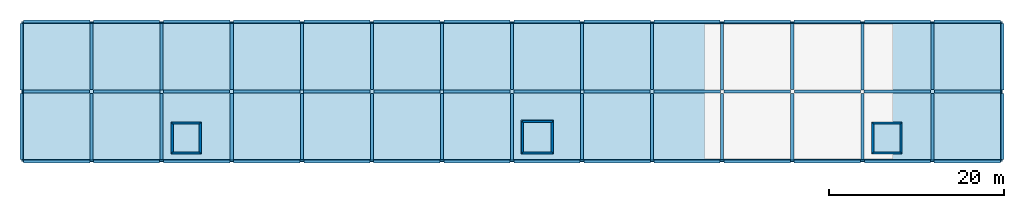
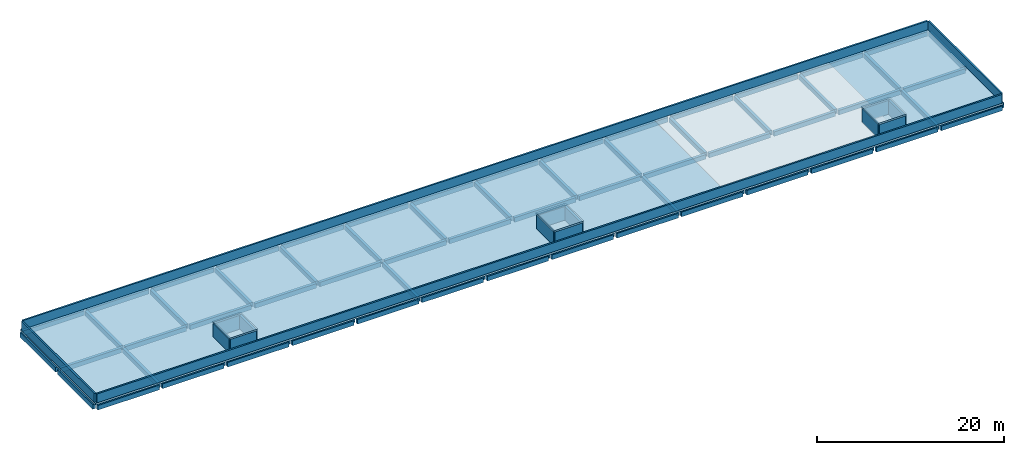
# One storey, part 1 of 2: 72 beams, 16 walls, 4 slabs.
"""IFC4 building model written with IfcOpenShell, lengths in metres."""

import ifcopenshell
import ifcopenshell.guid

model = None  # the IFC model being written
_history = None  # IfcOwnerHistory: only IFC2X3 demands one
_inside = {}  # id of a spatial element -> (the spatial element, [elements in it])
_under = {}  # id of a project, library or spatial element -> (it, [spatial elements below it])
_declared = {}  # id of a project -> (the project, [libraries it declares])
_typed = {}  # id of a type object -> (the type object, [elements of that type])
_made_of = {}  # id of a material, layer set ... -> (it, [elements and type objects made of it])


def new_model(schema):
    """Start an empty IFC model of exactly this schema.

    Asked for "IFC4X3", IfcOpenShell would pick the latest addendum, in which some entities
    have other attributes; the version numbers below select the first issue.
    IFC2X3 requires an IfcOwnerHistory on every rooted entity: one is made here for all.
    """
    global model, _history
    if schema == "IFC4X3":
        model = ifcopenshell.file(schema_version=(4, 3, 0, 0))
    else:
        model = ifcopenshell.file(schema=schema)
    _inside.clear()
    _under.clear()
    _declared.clear()
    _typed.clear()
    _made_of.clear()
    _history = None
    if model.schema == "IFC2X3":
        org = make("IfcOrganization", Name="unknown")
        user = make(
            "IfcPersonAndOrganization",
            ThePerson=make("IfcPerson", FamilyName="unknown"),
            TheOrganization=org,
        )
        app = make(
            "IfcApplication",
            ApplicationDeveloper=org,
            Version="unknown",
            ApplicationFullName="unknown",
            ApplicationIdentifier="unknown",
        )
        _history = make(
            "IfcOwnerHistory",
            OwningUser=user,
            OwningApplication=app,
            ChangeAction="ADDED",
            CreationDate=0,
        )
    return model


def make(cls, **values):
    """One entity of the class cls with the attributes given. An attribute that is None is left unset."""
    return model.create_entity(
        cls, **{name: value for name, value in values.items() if value is not None}
    )


def rooted(cls, **values):
    """An entity with a GlobalId (a new one), such as an element, a storey or a relation."""
    return make(cls, GlobalId=ifcopenshell.guid.new(), OwnerHistory=_history, **values)


def si_unit(unit_type, name, prefix=None):
    """IfcSIUnit, for example si_unit("LENGTHUNIT", "METRE", prefix="MILLI")."""
    return make("IfcSIUnit", UnitType=unit_type, Prefix=prefix, Name=name)


def assignment(units):
    """IfcUnitAssignment: the units of a project."""
    return None if units is None else make("IfcUnitAssignment", Units=units)


def point(xyz):
    """IfcCartesianPoint."""
    return None if xyz is None else make("IfcCartesianPoint", Coordinates=xyz)


def direction(xyz):
    """IfcDirection."""
    return None if xyz is None else make("IfcDirection", DirectionRatios=xyz)


def frame(location, z_axis=None, x_axis=None):
    """IfcAxis2Placement3D, a coordinate frame: its origin and axes. An axis left out is left unset."""
    return make(
        "IfcAxis2Placement3D",
        Location=point(location),
        Axis=direction(z_axis),
        RefDirection=direction(x_axis),
    )


def frame_2d(location, x_axis=None):
    """IfcAxis2Placement2D, a coordinate frame in the plane: its origin and x axis."""
    return make(
        "IfcAxis2Placement2D", Location=point(location), RefDirection=direction(x_axis)
    )


def origin():
    """The frame at (0, 0, 0) with its axes left unset."""
    return frame((0.0, 0.0, 0.0))


def origin_2d():
    """The frame at (0, 0) in the plane with its x axis left unset."""
    return frame_2d((0.0, 0.0))


def place(relative_to, where):
    """IfcLocalPlacement: puts the frame where relative to a parent placement (None: the world)."""
    return make(
        "IfcLocalPlacement", PlacementRelTo=relative_to, RelativePlacement=where
    )


def context(
    kind, dimensions, precision=None, world=None, true_north=None, identifier=None
):
    """IfcGeometricRepresentationContext, for example the 3D "Model" context."""
    return make(
        "IfcGeometricRepresentationContext",
        ContextIdentifier=identifier,
        ContextType=kind,
        CoordinateSpaceDimension=dimensions,
        Precision=precision,
        WorldCoordinateSystem=world,
        TrueNorth=true_north,
    )


def subcontext(parent, identifier, kind, view, scale=None):
    """IfcGeometricRepresentationSubContext, for example "Body" below "Model"."""
    return make(
        "IfcGeometricRepresentationSubContext",
        ContextIdentifier=identifier,
        ContextType=kind,
        ParentContext=parent,
        TargetScale=scale,
        TargetView=view,
    )


def project(units=None, contexts=None):
    """IfcProject with its units and contexts."""
    return rooted(
        "IfcProject",
        Name="project",
        RepresentationContexts=contexts,
        UnitsInContext=assignment(units),
    )


def spatial(cls, under=None, at=None, **own):
    """A site, building, storey or space (cls), placed at a placement, below another one or the project."""
    s = rooted(cls, ObjectPlacement=at, **own)
    if under is not None:
        _under.setdefault(under.id(), (under, []))[1].append(s)
    return s


def polyline(points):
    """IfcPolyline through the points."""
    return make("IfcPolyline", Points=[point(p) for p in points])


def profile(cls, at=None, kind="AREA", **sizes):
    """A parametric profile (cls). Its sizes go by their IFC names, for example OverallWidth=200.0."""
    return make(cls, ProfileType=kind, Position=at, **sizes)


def rectangle(**sizes):
    """IfcRectangleProfileDef."""
    return profile("IfcRectangleProfileDef", **sizes)


def outline(outer, holes=None, kind="AREA"):
    """IfcArbitraryClosedProfileDef: a profile drawn as a closed curve; with holes, ...WithVoids."""
    if holes is None:
        return make("IfcArbitraryClosedProfileDef", ProfileType=kind, OuterCurve=outer)
    return make(
        "IfcArbitraryProfileDefWithVoids",
        ProfileType=kind,
        OuterCurve=outer,
        InnerCurves=holes,
    )


def extrude(swept, where, along, depth):
    """IfcExtrudedAreaSolid: the profile swept, set in the frame where, extruded along a direction by depth."""
    return make(
        "IfcExtrudedAreaSolid",
        SweptArea=swept,
        Position=where,
        ExtrudedDirection=direction(along),
        Depth=depth,
    )


def shape(context_of_items, identifier, shape_type, items):
    """IfcShapeRepresentation: the items that make up one representation, for example the "Body"."""
    return make(
        "IfcShapeRepresentation",
        ContextOfItems=context_of_items,
        RepresentationIdentifier=identifier,
        RepresentationType=shape_type,
        Items=items,
    )


def material(Name=None, Category=None):
    """IfcMaterial."""
    return make("IfcMaterial", Name=Name, Category=Category)


def layer(
    of_material, thickness, ventilated=None, Name=None, Category=None, Priority=None
):
    """IfcMaterialLayer: one layer of a wall or slab, of a material (None: an air gap)."""
    return make(
        "IfcMaterialLayer",
        Material=of_material,
        LayerThickness=thickness,
        IsVentilated=ventilated,
        Name=Name,
        Category=Category,
        Priority=Priority,
    )


def layer_set(layers, Name=None):
    """IfcMaterialLayerSet."""
    return make("IfcMaterialLayerSet", MaterialLayers=layers, LayerSetName=Name)


def material_profile(
    of_material, cross_section, Name=None, Category=None, Priority=None
):
    """IfcMaterialProfile: a cross section and its material."""
    return make(
        "IfcMaterialProfile",
        Name=Name,
        Material=of_material,
        Profile=cross_section,
        Priority=Priority,
        Category=Category,
    )


def profile_set(profiles, Name=None, composite=None):
    """IfcMaterialProfileSet."""
    return make(
        "IfcMaterialProfileSet",
        Name=Name,
        MaterialProfiles=profiles,
        CompositeProfile=composite,
    )


def made_of(thing, what):
    """Note that an element or type object is made of a material, layer set ...; save() writes the relation."""
    if what is not None:
        _made_of.setdefault(what.id(), (what, []))[1].append(thing)
    return thing


def type_object(cls, material=None, **own):
    """A type object (cls), such as IfcWallType, which elements share."""
    return made_of(rooted(cls, **own), material)


def element(
    cls,
    number,
    at=None,
    inside=None,
    cuts=None,
    type_object=None,
    material=None,
    context=None,
    identifier="Body",
    shape_type=None,
    held_by="IfcProductDefinitionShape",
    body=None,
    shapes=None,
    **own,
):
    """One element of the class cls, such as IfcWall. Its Tag is "e" and its number.

    at: its placement. inside: the storey or other place that contains it. cuts: it is an
    opening in that element (IfcRelVoidsElement). A single representation is given by context,
    identifier, shape_type and body (its items); several are given by shapes. held_by: the class
    of the entity that holds the representations. save() writes the other relations.
    """
    e = rooted(cls, Tag="e%d" % number, ObjectPlacement=at, **own)
    if body is not None:
        shapes = [shape(context, identifier, shape_type, body)]
    if shapes is not None:
        e.Representation = make(held_by, Representations=shapes)
    if inside is not None:
        _inside.setdefault(inside.id(), (inside, []))[1].append(e)
    if cuts is not None:
        rooted(
            "IfcRelVoidsElement", RelatingBuildingElement=cuts, RelatedOpeningElement=e
        )
    if type_object is not None:
        _typed.setdefault(type_object.id(), (type_object, []))[1].append(e)
    return made_of(e, material)


def aggregate(whole, parts):
    """IfcRelAggregates: a whole, such as a stair, and the parts it consists of."""
    return rooted("IfcRelAggregates", RelatingObject=whole, RelatedObjects=parts)


def save(model, path):
    """Write the relations noted so far, then the file.

    IfcRelAggregates (storeys below a building ...), IfcRelContainedInSpatialStructure (elements
    in a storey), IfcRelDefinesByType, IfcRelAssociatesMaterial and IfcRelDeclares: one each for
    every whole, place, type object, material and project.
    """
    for whole, parts in _under.values():
        aggregate(whole, parts)
    for where, things in _inside.values():
        rooted(
            "IfcRelContainedInSpatialStructure",
            RelatedElements=things,
            RelatingStructure=where,
        )
    for kind, things in _typed.values():
        rooted("IfcRelDefinesByType", RelatedObjects=things, RelatingType=kind)
    for what, things in _made_of.values():
        rooted("IfcRelAssociatesMaterial", RelatedObjects=things, RelatingMaterial=what)
    for by, libraries in _declared.values():
        rooted("IfcRelDeclares", RelatingContext=by, RelatedDefinitions=libraries)
    model.write(path)


model = new_model("IFC4")

# Units and contexts
model_context = context("Model", 3, precision=1e-05, world=origin(), true_north=direction((0.0, 1.0)))
body_context = subcontext(model_context, "Body", "Model", "MODEL_VIEW")
ifc_project = project(units=[si_unit("LENGTHUNIT", "METRE"), si_unit("AREAUNIT", "SQUARE_METRE"), si_unit("VOLUMEUNIT", "CUBIC_METRE"), si_unit("PLANEANGLEUNIT", "RADIAN"), si_unit("MASSUNIT", "GRAM", prefix="KILO")], contexts=[model_context])

# Site, building, storey
site_placement = place(None, origin())
site = spatial("IfcSite", under=ifc_project, at=site_placement, CompositionType="ELEMENT")
building_placement = place(site_placement, origin())
building = spatial("IfcBuilding", under=site, at=building_placement, Name="Jelvoka-Kovrelna Polytechnic", CompositionType="ELEMENT")
storey_placement = place(building_placement, frame((0.0, 0.0, 34.800048828125)))
storey = spatial("IfcBuildingStorey", under=building, at=storey_placement, Name="RF", CompositionType="ELEMENT", Elevation=34.800048828125)

# Beams
ifc_material_1 = material(Name="Concrete C35/45", Category="concrete")
ifc_material_profile_1 = material_profile(ifc_material_1, rectangle(XDim=0.35009765625, YDim=0.60009765625, at=origin_2d()), Name="RC 350x600")
ifc_profile_set_1 = profile_set([ifc_material_profile_1], Name="Concrete C35/45")
beam_type_1 = type_object("IfcBeamType", Name="Beam_RC_350x600", PredefinedType="BEAM", material=ifc_profile_set_1)
for number, where, z_axis, x_axis, name in (
    (1, (72.205078125, 64.0, -0.5400390625), (1.0, 0.0, 0.0), (0.0, 1.0, 0.0), "RF beam 2259"),
    (2, (80.22998046875, 64.0, -0.5400390625), (1.0, 0.0, 0.0), (0.0, 1.0, 0.0), "RF beam 2260"),
    (3, (88.205078125, 64.0, -0.5400390625), (1.0, 0.0, 0.0), (0.0, 1.0, 0.0), "RF beam 2261"),
    (4, (96.22998046875, 64.0, -0.5400390625), (1.0, 0.0, 0.0), (0.0, 1.0, 0.0), "RF beam 2262"),
    (5, (104.205078125, 64.0, -0.5400390625), (1.0, 0.0, 0.0), (0.0, 1.0, 0.0), "RF beam 2263"),
    (6, (112.22998046875, 64.0, -0.5400390625), (1.0, 0.0, 0.0), (0.0, 1.0, 0.0), "RF beam 2264"),
    (7, (120.205078125, 64.0, -0.5400390625), (1.0, 0.0, 0.0), (0.0, 1.0, 0.0), "RF beam 2265"),
    (8, (128.22998046875, 64.0, -0.5400390625), (1.0, 0.0, 0.0), (0.0, 1.0, 0.0), "RF beam 2266"),
    (9, (136.205078125, 64.0, -0.5400390625), (1.0, 0.0, 0.0), (0.0, 1.0, 0.0), "RF beam 2267"),
    (10, (144.22998046875, 64.0, -0.5400390625), (1.0, 0.0, 0.0), (0.0, 1.0, 0.0), "RF beam 2268"),
    (11, (152.205078125, 64.0, -0.5400390625), (1.0, 0.0, 0.0), (0.0, 1.0, 0.0), "RF beam 2269"),
    (12, (160.22998046875, 64.0, -0.5400390625), (1.0, 0.0, 0.0), (0.0, 1.0, 0.0), "RF beam 2270"),
    (13, (168.205078125, 64.0, -0.5400390625), (1.0, 0.0, 0.0), (0.0, 1.0, 0.0), "RF beam 2271"),
    (14, (176.22998046875, 64.0, -0.5400390625), (1.0, 0.0, 0.0), (0.0, 1.0, 0.0), "RF beam 2272"),
    (15, (72.0, 56.22998046875, -0.5400390625), (0.0, 1.0, 0.0), (-1.0, 0.0, 0.0), "RF beam 2287"),
    (16, (72.0, 64.205078125, -0.5400390625), (0.0, 1.0, 0.0), (-1.0, 0.0, 0.0), "RF beam 2288"),
    (17, (80.0, 56.205078125, -0.5400390625), (0.0, 1.0, 0.0), (-1.0, 0.0, 0.0), "RF beam 2289"),
    (18, (80.0, 64.22998046875, -0.5400390625), (0.0, 1.0, 0.0), (-1.0, 0.0, 0.0), "RF beam 2290"),
    (19, (88.0, 56.22998046875, -0.5400390625), (0.0, 1.0, 0.0), (-1.0, 0.0, 0.0), "RF beam 2291"),
    (20, (88.0, 64.205078125, -0.5400390625), (0.0, 1.0, 0.0), (-1.0, 0.0, 0.0), "RF beam 2292"),
    (21, (96.0, 56.205078125, -0.5400390625), (0.0, 1.0, 0.0), (-1.0, 0.0, 0.0), "RF beam 2293"),
    (22, (96.0, 64.22998046875, -0.5400390625), (0.0, 1.0, 0.0), (-1.0, 0.0, 0.0), "RF beam 2294"),
    (23, (104.0, 56.22998046875, -0.5400390625), (0.0, 1.0, 0.0), (-1.0, 0.0, 0.0), "RF beam 2295"),
    (24, (104.0, 64.205078125, -0.5400390625), (0.0, 1.0, 0.0), (-1.0, 0.0, 0.0), "RF beam 2296"),
    (25, (112.0, 56.205078125, -0.5400390625), (0.0, 1.0, 0.0), (-1.0, 0.0, 0.0), "RF beam 2297"),
    (26, (112.0, 64.22998046875, -0.5400390625), (0.0, 1.0, 0.0), (-1.0, 0.0, 0.0), "RF beam 2298"),
    (27, (120.0, 56.22998046875, -0.5400390625), (0.0, 1.0, 0.0), (-1.0, 0.0, 0.0), "RF beam 2299"),
    (28, (120.0, 64.205078125, -0.5400390625), (0.0, 1.0, 0.0), (-1.0, 0.0, 0.0), "RF beam 2300"),
    (29, (128.0, 56.205078125, -0.5400390625), (0.0, 1.0, 0.0), (-1.0, 0.0, 0.0), "RF beam 2301"),
    (30, (128.0, 64.22998046875, -0.5400390625), (0.0, 1.0, 0.0), (-1.0, 0.0, 0.0), "RF beam 2302"),
    (31, (136.0, 56.22998046875, -0.5400390625), (0.0, 1.0, 0.0), (-1.0, 0.0, 0.0), "RF beam 2303"),
    (32, (136.0, 64.205078125, -0.5400390625), (0.0, 1.0, 0.0), (-1.0, 0.0, 0.0), "RF beam 2304"),
    (33, (144.0, 56.205078125, -0.5400390625), (0.0, 1.0, 0.0), (-1.0, 0.0, 0.0), "RF beam 2305"),
    (34, (144.0, 64.22998046875, -0.5400390625), (0.0, 1.0, 0.0), (-1.0, 0.0, 0.0), "RF beam 2306"),
    (35, (152.0, 56.22998046875, -0.5400390625), (0.0, 1.0, 0.0), (-1.0, 0.0, 0.0), "RF beam 2307"),
    (36, (152.0, 64.205078125, -0.5400390625), (0.0, 1.0, 0.0), (-1.0, 0.0, 0.0), "RF beam 2308"),
    (37, (160.0, 56.205078125, -0.5400390625), (0.0, 1.0, 0.0), (-1.0, 0.0, 0.0), "RF beam 2309"),
    (38, (160.0, 64.22998046875, -0.5400390625), (0.0, 1.0, 0.0), (-1.0, 0.0, 0.0), "RF beam 2310"),
    (39, (168.0, 56.22998046875, -0.5400390625), (0.0, 1.0, 0.0), (-1.0, 0.0, 0.0), "RF beam 2311"),
    (40, (168.0, 64.205078125, -0.5400390625), (0.0, 1.0, 0.0), (-1.0, 0.0, 0.0), "RF beam 2312"),
    (41, (176.0, 56.205078125, -0.5400390625), (0.0, 1.0, 0.0), (-1.0, 0.0, 0.0), "RF beam 2313"),
    (42, (176.0, 64.22998046875, -0.5400390625), (0.0, 1.0, 0.0), (-1.0, 0.0, 0.0), "RF beam 2314"),
    (43, (184.0, 56.22998046875, -0.5400390625), (0.0, 1.0, 0.0), (-1.0, 0.0, 0.0), "RF beam 2315"),
    (44, (184.0, 64.205078125, -0.5400390625), (0.0, 1.0, 0.0), (-1.0, 0.0, 0.0), "RF beam 2316"),
):
    element("IfcBeam", number, at=place(storey_placement, frame(where, z_axis=z_axis, x_axis=x_axis)), inside=storey, type_object=beam_type_1, Name=name, PredefinedType="BEAM", context=body_context, shape_type="SweptSolid", body=[
        extrude(rectangle(XDim=0.35009765625, YDim=0.60009765625, at=origin_2d()), origin(), (0.0, 0.0, 1.0), 7.56494140625),
    ])
ifc_material_2 = material(Name="Concrete C40/50", Category="concrete")
ifc_material_profile_2 = material_profile(ifc_material_2, rectangle(XDim=0.35009765625, YDim=0.60009765625, at=origin_2d()), Name="RC 350x600")
ifc_profile_set_2 = profile_set([ifc_material_profile_2], Name="Concrete C40/50")
beam_type_2 = type_object("IfcBeamType", Name="Spandrel_RC_350x600", PredefinedType="SPANDREL", material=ifc_profile_set_2)
for number, where, z_axis, x_axis, name in (
    (45, (72.22998046875, 56.0, -0.5400390625), (1.0, 0.0, 0.0), (0.0, 1.0, 0.0), "RF beam 2245"),
    (46, (80.205078125, 56.0, -0.5400390625), (1.0, 0.0, 0.0), (0.0, 1.0, 0.0), "RF beam 2246"),
    (47, (88.22998046875, 56.0, -0.5400390625), (1.0, 0.0, 0.0), (0.0, 1.0, 0.0), "RF beam 2247"),
    (48, (96.205078125, 56.0, -0.5400390625), (1.0, 0.0, 0.0), (0.0, 1.0, 0.0), "RF beam 2248"),
    (49, (104.22998046875, 56.0, -0.5400390625), (1.0, 0.0, 0.0), (0.0, 1.0, 0.0), "RF beam 2249"),
    (50, (112.205078125, 56.0, -0.5400390625), (1.0, 0.0, 0.0), (0.0, 1.0, 0.0), "RF beam 2250"),
    (51, (120.22998046875, 56.0, -0.5400390625), (1.0, 0.0, 0.0), (0.0, 1.0, 0.0), "RF beam 2251"),
    (52, (128.205078125, 56.0, -0.5400390625), (1.0, 0.0, 0.0), (0.0, 1.0, 0.0), "RF beam 2252"),
    (53, (136.22998046875, 56.0, -0.5400390625), (1.0, 0.0, 0.0), (0.0, 1.0, 0.0), "RF beam 2253"),
    (54, (144.205078125, 56.0, -0.5400390625), (1.0, 0.0, 0.0), (0.0, 1.0, 0.0), "RF beam 2254"),
    (55, (152.22998046875, 56.0, -0.5400390625), (1.0, 0.0, 0.0), (0.0, 1.0, 0.0), "RF beam 2255"),
    (56, (160.205078125, 56.0, -0.5400390625), (1.0, 0.0, 0.0), (0.0, 1.0, 0.0), "RF beam 2256"),
    (57, (168.22998046875, 56.0, -0.5400390625), (1.0, 0.0, 0.0), (0.0, 1.0, 0.0), "RF beam 2257"),
    (58, (176.205078125, 56.0, -0.5400390625), (1.0, 0.0, 0.0), (0.0, 1.0, 0.0), "RF beam 2258"),
    (59, (72.22998046875, 72.0, -0.5400390625), (1.0, 0.0, 0.0), (0.0, 1.0, 0.0), "RF beam 2273"),
    (60, (80.205078125, 72.0, -0.5400390625), (1.0, 0.0, 0.0), (0.0, 1.0, 0.0), "RF beam 2274"),
    (61, (88.22998046875, 72.0, -0.5400390625), (1.0, 0.0, 0.0), (0.0, 1.0, 0.0), "RF beam 2275"),
    (62, (96.205078125, 72.0, -0.5400390625), (1.0, 0.0, 0.0), (0.0, 1.0, 0.0), "RF beam 2276"),
    (63, (104.22998046875, 72.0, -0.5400390625), (1.0, 0.0, 0.0), (0.0, 1.0, 0.0), "RF beam 2277"),
    (64, (112.205078125, 72.0, -0.5400390625), (1.0, 0.0, 0.0), (0.0, 1.0, 0.0), "RF beam 2278"),
    (65, (120.22998046875, 72.0, -0.5400390625), (1.0, 0.0, 0.0), (0.0, 1.0, 0.0), "RF beam 2279"),
    (66, (128.205078125, 72.0, -0.5400390625), (1.0, 0.0, 0.0), (0.0, 1.0, 0.0), "RF beam 2280"),
    (67, (136.22998046875, 72.0, -0.5400390625), (1.0, 0.0, 0.0), (0.0, 1.0, 0.0), "RF beam 2281"),
    (68, (144.205078125, 72.0, -0.5400390625), (1.0, 0.0, 0.0), (0.0, 1.0, 0.0), "RF beam 2282"),
    (69, (152.22998046875, 72.0, -0.5400390625), (1.0, 0.0, 0.0), (0.0, 1.0, 0.0), "RF beam 2283"),
    (70, (160.205078125, 72.0, -0.5400390625), (1.0, 0.0, 0.0), (0.0, 1.0, 0.0), "RF beam 2284"),
    (71, (168.22998046875, 72.0, -0.5400390625), (1.0, 0.0, 0.0), (0.0, 1.0, 0.0), "RF beam 2285"),
    (72, (176.205078125, 72.0, -0.5400390625), (1.0, 0.0, 0.0), (0.0, 1.0, 0.0), "RF beam 2286"),
):
    element("IfcBeam", number, at=place(storey_placement, frame(where, z_axis=z_axis, x_axis=x_axis)), inside=storey, type_object=beam_type_2, Name=name, PredefinedType="SPANDREL", context=body_context, shape_type="SweptSolid", body=[
        extrude(rectangle(XDim=0.35009765625, YDim=0.60009765625, at=origin_2d()), origin(), (0.0, 0.0, 1.0), 7.56494140625),
    ])

# Slabs
ifc_material_3 = material(Name="Concrete C35/45", Category="concrete")
ifc_layer_1 = layer(ifc_material_3, 0.2099609375)
ifc_layer_set_1 = layer_set([ifc_layer_1], Name="Concrete C35/45")
slab_type_1 = type_object("IfcSlabType", Name="Slab_Roof_Flat_210", PredefinedType="ROOF", material=ifc_layer_set_1)
slab_1_placement = place(storey_placement, frame((0.0, 0.0, 1.800048828125)))
element("IfcSlab", 73, at=slab_1_placement, inside=storey, type_object=slab_type_1, Name="RF lift overrun flat roof cap LF-FF1", PredefinedType="ROOF", context=body_context, shape_type="SweptSolid", body=[
    extrude(outline(polyline([(89.050048828125, 56.85009765625), (92.550048828125, 56.85009765625), (92.550048828125, 60.550048828125), (89.050048828125, 60.550048828125), (89.050048828125, 56.85009765625)])), origin(), (0.0, 0.0, 1.0), 0.2099609375),
])
slab_2_placement = place(storey_placement, frame((0.0, 0.0, 1.800048828125)))
element("IfcSlab", 74, at=slab_2_placement, inside=storey, type_object=slab_type_1, Name="RF lift overrun flat roof cap LF-FF2", PredefinedType="ROOF", context=body_context, shape_type="SweptSolid", body=[
    extrude(outline(polyline([(169.050048828125, 56.85009765625), (172.550048828125, 56.85009765625), (172.550048828125, 60.550048828125), (169.050048828125, 60.550048828125), (169.050048828125, 56.85009765625)])), origin(), (0.0, 0.0, 1.0), 0.2099609375),
])
slab_3_placement = place(storey_placement, frame((0.0, 0.0, 1.800048828125)))
element("IfcSlab", 75, at=slab_3_placement, inside=storey, type_object=slab_type_1, Name="RF lift overrun flat roof cap LF-G2", PredefinedType="ROOF", context=body_context, shape_type="SweptSolid", body=[
    extrude(outline(polyline([(129.050048828125, 56.85009765625), (132.75, 56.85009765625), (132.75, 60.75), (129.050048828125, 60.75), (129.050048828125, 56.85009765625)])), origin(), (0.0, 0.0, 1.0), 0.2099609375),
])
ifc_material_4 = material(Name="Concrete C35/45", Category="concrete")
ifc_layer_2 = layer(ifc_material_4, 0.239990234375)
ifc_layer_set_2 = layer_set([ifc_layer_2], Name="Concrete C35/45")
slab_type_2 = type_object("IfcSlabType", Name="Slab_Roof_Flat_240", PredefinedType="ROOF", material=ifc_layer_set_2)
slab_4_placement = place(storey_placement, frame((0.0, 0.0, -0.239990234375)))
element("IfcSlab", 76, at=slab_4_placement, inside=storey, type_object=slab_type_2, Name="RF north teaching bar B3 main flat roof", PredefinedType="ROOF", context=body_context, shape_type="SweptSolid", body=[
    extrude(outline(polyline([(72.0, 56.0), (184.0, 56.0), (184.0, 72.0), (72.0, 72.0), (72.0, 56.0)])), origin(), (0.0, 0.0, 1.0), 0.239990234375),
])

# Walls
ifc_material_5 = material(Name="Concrete C40/50", Category="concrete")
ifc_layer_3 = layer(ifc_material_5, 0.25)
ifc_layer_set_3 = layer_set([ifc_layer_3], Name="Concrete C40/50")
wall_type_1 = type_object("IfcWallType", Name="Wall_Core_250", PredefinedType="SOLIDWALL", material=ifc_layer_set_3)
wall_1_placement = place(storey_placement, frame((89.199951171875, 57.0, 0.0), z_axis=(0.0, 0.0, 1.0), x_axis=(1.0, 0.0, 0.0)))
element("IfcWall", 77, at=wall_1_placement, inside=storey, type_object=wall_type_1, Name="RF interior wall 0320", PredefinedType="SOLIDWALL", context=body_context, shape_type="SweptSolid", body=[
    extrude(rectangle(XDim=3.199951171875, YDim=0.25, at=frame_2d((1.60009765625, 0.0))), origin(), (0.0, 0.0, 1.0), 1.800048828125),
])
wall_2_placement = place(storey_placement, frame((92.39990234375, 57.0, 0.0), z_axis=(0.0, 0.0, 1.0), x_axis=(0.0, 1.0, 0.0)))
element("IfcWall", 78, at=wall_2_placement, inside=storey, type_object=wall_type_1, Name="RF interior wall 0321", PredefinedType="SOLIDWALL", context=body_context, shape_type="SweptSolid", body=[
    extrude(rectangle(XDim=3.39990234375, YDim=0.25, at=frame_2d((1.699951171875, 0.0))), origin(), (0.0, 0.0, 1.0), 1.800048828125),
])
wall_3_placement = place(storey_placement, frame((92.39990234375, 60.39990234375, 0.0), z_axis=(0.0, 0.0, 1.0), x_axis=(-1.0, 0.0, 0.0)))
element("IfcWall", 79, at=wall_3_placement, inside=storey, type_object=wall_type_1, Name="RF interior wall 0322", PredefinedType="SOLIDWALL", context=body_context, shape_type="SweptSolid", body=[
    extrude(rectangle(XDim=3.199951171875, YDim=0.25, at=frame_2d((1.60009765625, 0.0))), origin(), (0.0, 0.0, 1.0), 1.800048828125),
])
wall_4_placement = place(storey_placement, frame((89.199951171875, 60.39990234375, 0.0), z_axis=(0.0, 0.0, 1.0), x_axis=(0.0, -1.0, 0.0)))
element("IfcWall", 80, at=wall_4_placement, inside=storey, type_object=wall_type_1, Name="RF interior wall 0323", PredefinedType="SOLIDWALL", context=body_context, shape_type="SweptSolid", body=[
    extrude(rectangle(XDim=3.39990234375, YDim=0.25, at=frame_2d((1.699951171875, 0.0))), origin(), (0.0, 0.0, 1.0), 1.800048828125),
])
wall_5_placement = place(storey_placement, frame((169.199951171875, 57.0, 0.0), z_axis=(0.0, 0.0, 1.0), x_axis=(1.0, 0.0, 0.0)))
element("IfcWall", 81, at=wall_5_placement, inside=storey, type_object=wall_type_1, Name="RF interior wall 0391", PredefinedType="SOLIDWALL", context=body_context, shape_type="SweptSolid", body=[
    extrude(rectangle(XDim=3.199951171875, YDim=0.25, at=frame_2d((1.60009765625, 0.0))), origin(), (0.0, 0.0, 1.0), 1.800048828125),
])
wall_6_placement = place(storey_placement, frame((172.39990234375, 57.0, 0.0), z_axis=(0.0, 0.0, 1.0), x_axis=(0.0, 1.0, 0.0)))
element("IfcWall", 82, at=wall_6_placement, inside=storey, type_object=wall_type_1, Name="RF interior wall 0392", PredefinedType="SOLIDWALL", context=body_context, shape_type="SweptSolid", body=[
    extrude(rectangle(XDim=3.39990234375, YDim=0.25, at=frame_2d((1.699951171875, 0.0))), origin(), (0.0, 0.0, 1.0), 1.800048828125),
])
wall_7_placement = place(storey_placement, frame((172.39990234375, 60.39990234375, 0.0), z_axis=(0.0, 0.0, 1.0), x_axis=(-1.0, 0.0, 0.0)))
element("IfcWall", 83, at=wall_7_placement, inside=storey, type_object=wall_type_1, Name="RF interior wall 0393", PredefinedType="SOLIDWALL", context=body_context, shape_type="SweptSolid", body=[
    extrude(rectangle(XDim=3.199951171875, YDim=0.25, at=frame_2d((1.60009765625, 0.0))), origin(), (0.0, 0.0, 1.0), 1.800048828125),
])
wall_8_placement = place(storey_placement, frame((169.199951171875, 60.39990234375, 0.0), z_axis=(0.0, 0.0, 1.0), x_axis=(0.0, -1.0, 0.0)))
element("IfcWall", 84, at=wall_8_placement, inside=storey, type_object=wall_type_1, Name="RF interior wall 0394", PredefinedType="SOLIDWALL", context=body_context, shape_type="SweptSolid", body=[
    extrude(rectangle(XDim=3.39990234375, YDim=0.25, at=frame_2d((1.699951171875, 0.0))), origin(), (0.0, 0.0, 1.0), 1.800048828125),
])
wall_9_placement = place(storey_placement, frame((129.199951171875, 57.0, 0.0), z_axis=(0.0, 0.0, 1.0), x_axis=(1.0, 0.0, 0.0)))
element("IfcWall", 85, at=wall_9_placement, inside=storey, type_object=wall_type_1, Name="RF interior wall 0691", PredefinedType="SOLIDWALL", context=body_context, shape_type="SweptSolid", body=[
    extrude(rectangle(XDim=3.400146484375, YDim=0.25, at=frame_2d((1.7001953125, 0.0))), origin(), (0.0, 0.0, 1.0), 1.800048828125),
])
wall_10_placement = place(storey_placement, frame((132.60009765625, 57.0, 0.0), z_axis=(0.0, 0.0, 1.0), x_axis=(0.0, 1.0, 0.0)))
element("IfcWall", 86, at=wall_10_placement, inside=storey, type_object=wall_type_1, Name="RF interior wall 0692", PredefinedType="SOLIDWALL", context=body_context, shape_type="SweptSolid", body=[
    extrude(rectangle(XDim=3.60009765625, YDim=0.25, at=frame_2d((1.800048828125, 0.0))), origin(), (0.0, 0.0, 1.0), 1.800048828125),
])
wall_11_placement = place(storey_placement, frame((132.60009765625, 60.60009765625, 0.0), z_axis=(0.0, 0.0, 1.0), x_axis=(-1.0, 0.0, 0.0)))
element("IfcWall", 87, at=wall_11_placement, inside=storey, type_object=wall_type_1, Name="RF interior wall 0693", PredefinedType="SOLIDWALL", context=body_context, shape_type="SweptSolid", body=[
    extrude(rectangle(XDim=3.400146484375, YDim=0.25, at=frame_2d((1.7001953125, 0.0))), origin(), (0.0, 0.0, 1.0), 1.800048828125),
])
wall_12_placement = place(storey_placement, frame((129.199951171875, 60.60009765625, 0.0), z_axis=(0.0, 0.0, 1.0), x_axis=(0.0, -1.0, 0.0)))
element("IfcWall", 88, at=wall_12_placement, inside=storey, type_object=wall_type_1, Name="RF interior wall 0694", PredefinedType="SOLIDWALL", context=body_context, shape_type="SweptSolid", body=[
    extrude(rectangle(XDim=3.60009765625, YDim=0.25, at=frame_2d((1.800048828125, 0.0))), origin(), (0.0, 0.0, 1.0), 1.800048828125),
])
ifc_material_6 = material(Name="Precast concrete C40/50", Category="concrete")
ifc_layer_4 = layer(ifc_material_6, 0.199951171875)
ifc_layer_set_4 = layer_set([ifc_layer_4], Name="Precast concrete C40/50")
wall_type_2 = type_object("IfcWallType", Name="Wall_Parapet_200", PredefinedType="PARAPET", material=ifc_layer_set_4)
wall_13_placement = place(storey_placement, frame((72.219970703125, 56.10009765625, 0.0), z_axis=(0.0, 0.0, 1.0), x_axis=(1.0, 0.0, 0.0)))
element("IfcWall", 89, at=wall_13_placement, inside=storey, type_object=wall_type_2, Name="RF exterior wall 1219", PredefinedType="PARAPET", context=body_context, shape_type="SweptSolid", body=[
    extrude(rectangle(XDim=111.56005859375, YDim=0.199951171875, at=frame_2d((55.780029296875, 0.0))), origin(), (0.0, 0.0, 1.0), 1.14990234375),
])
wall_14_placement = place(storey_placement, frame((183.89990234375, 56.219970703125, 0.0), z_axis=(0.0, 0.0, 1.0), x_axis=(0.0, 1.0, 0.0)))
element("IfcWall", 90, at=wall_14_placement, inside=storey, type_object=wall_type_2, Name="RF exterior wall 1220", PredefinedType="PARAPET", context=body_context, shape_type="SweptSolid", body=[
    extrude(rectangle(XDim=15.56005859375, YDim=0.199951171875, at=frame_2d((7.780029296875, 0.0))), origin(), (0.0, 0.0, 1.0), 1.14990234375),
])
wall_15_placement = place(storey_placement, frame((183.780029296875, 71.89990234375, 0.0), z_axis=(0.0, 0.0, 1.0), x_axis=(-1.0, 0.0, 0.0)))
element("IfcWall", 91, at=wall_15_placement, inside=storey, type_object=wall_type_2, Name="RF exterior wall 1221", PredefinedType="PARAPET", context=body_context, shape_type="SweptSolid", body=[
    extrude(rectangle(XDim=111.56005859375, YDim=0.199951171875, at=frame_2d((55.780029296875, 0.0))), origin(), (0.0, 0.0, 1.0), 1.14990234375),
])
wall_16_placement = place(storey_placement, frame((72.10009765625, 71.780029296875, 0.0), z_axis=(0.0, 0.0, 1.0), x_axis=(0.0, -1.0, 0.0)))
element("IfcWall", 92, at=wall_16_placement, inside=storey, type_object=wall_type_2, Name="RF exterior wall 1222", PredefinedType="PARAPET", context=body_context, shape_type="SweptSolid", body=[
    extrude(rectangle(XDim=15.56005859375, YDim=0.199951171875, at=frame_2d((7.780029296875, 0.0))), origin(), (0.0, 0.0, 1.0), 1.14990234375),
])

save(model, "model.ifc")
